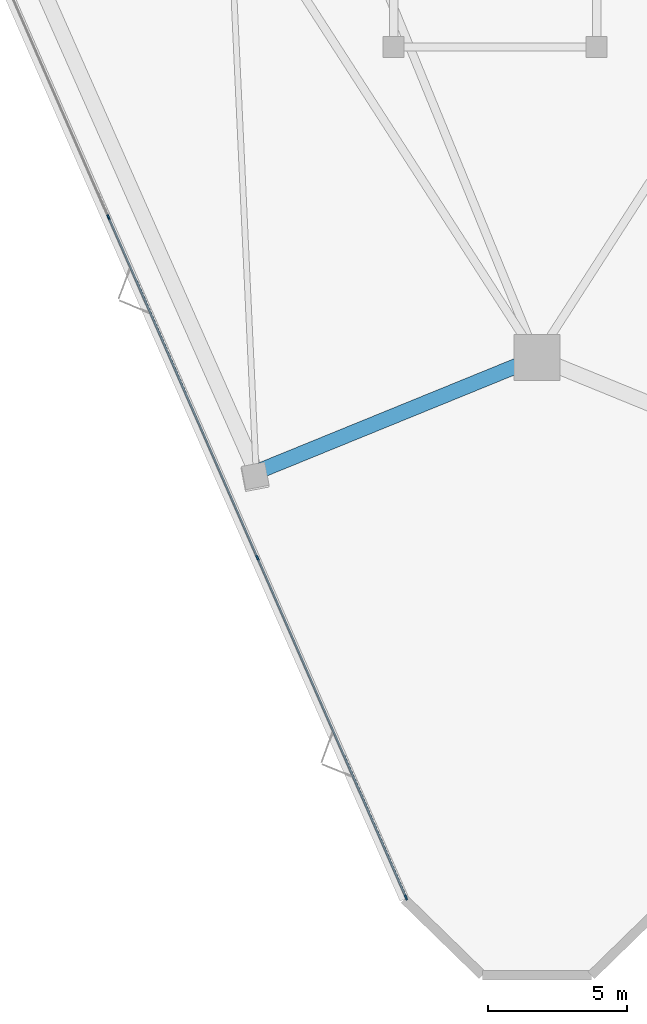
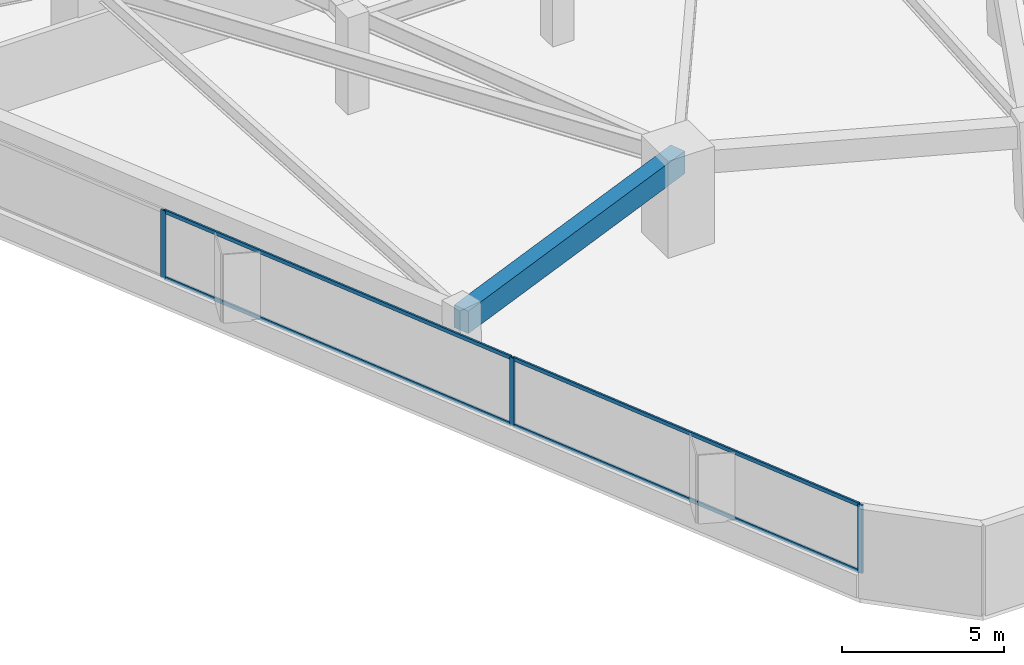
# One storey, part 2 of 19: 7 members, 1 beam, 1 element without a shape of its own.
"""IFC4 building model written with IfcOpenShell, lengths in metres."""

from ifc_helpers import new_model, si_unit, direction, frame, origin, origin_2d, place, context, subcontext, project, spatial, rectangle, extrude, material, layer, layer_set, material_profile, profile_set, type_object, element, aggregate, save


model = new_model("IFC4")

# Units and contexts
model_context = context("Model", 3, precision=1e-05, world=origin(), true_north=direction((0.0, 1.0)))
body_context = subcontext(model_context, "Body", "Model", "MODEL_VIEW")
ifc_project = project(units=[si_unit("LENGTHUNIT", "METRE"), si_unit("AREAUNIT", "SQUARE_METRE"), si_unit("VOLUMEUNIT", "CUBIC_METRE"), si_unit("PLANEANGLEUNIT", "RADIAN"), si_unit("MASSUNIT", "GRAM", prefix="KILO")], contexts=[model_context])

# Site, building, storey
site_placement = place(None, origin())
site = spatial("IfcSite", under=ifc_project, at=site_placement, CompositionType="ELEMENT")
building_placement = place(site_placement, origin())
building = spatial("IfcBuilding", under=site, at=building_placement, Name="Talyreon Biosciences Tower", CompositionType="ELEMENT")
storey_placement = place(building_placement, frame((0.0, 0.0, 82.300048828125)))
storey = spatial("IfcBuildingStorey", under=building, at=storey_placement, Name="L21", CompositionType="ELEMENT", Elevation=82.300048828125)

# Curtain wall, members
ifc_material_1 = material(Name="Thermally broken aluminium and low-E glazing", Category="aluminium")
ifc_layer = layer(ifc_material_1, 0.18994140625)
ifc_layer_set = layer_set([ifc_layer], Name="Thermally broken aluminium and low-E glazing")
curtain_wall_type = type_object("IfcCurtainWallType", Name="CurtainWall_Zone2Genomics", PredefinedType="NOTDEFINED", material=ifc_layer_set)
curtain_wall_placement = place(storey_placement, origin())
curtain_wall = element("IfcCurtainWall", 1, at=curtain_wall_placement, inside=storey, type_object=curtain_wall_type, Name="L21 Unitised Curtain Wall FCW-L21-00", PredefinedType="NOTDEFINED")
ifc_material_2 = material(Name="Anodised thermally broken aluminium", Category="aluminium")
ifc_material_profile_1 = material_profile(ifc_material_2, rectangle(XDim=0.06494140625, YDim=0.179931640625, at=origin_2d()), Name="ALUM MULLION 65x180")
ifc_profile_set_1 = profile_set([ifc_material_profile_1], Name="Anodised thermally broken aluminium")
member_type_1 = type_object("IfcMemberType", Name="CWMullion_65x180", PredefinedType="MULLION", material=ifc_profile_set_1)
member_1_placement = place(storey_placement, frame((61.2958984375, 22.253173828125, 0.81005859375), z_axis=(0.0, 0.0, 1.0), x_axis=(-0.916213942072, -0.400689421314, 0.0)))
member_1 = element("IfcMember", 2, at=member_1_placement, type_object=member_type_1, Name="CW3 mullion 1", PredefinedType="MULLION", context=body_context, shape_type="SweptSolid", body=[
    extrude(rectangle(XDim=0.06494140625, YDim=0.179931640625, at=origin_2d()), origin(), (0.0, 0.0, 1.0), 2.56494140625),
])
member_2_placement = place(storey_placement, frame((55.9521484375, 34.472412109375, 0.81005859375), z_axis=(0.0, 0.0, 1.0), x_axis=(-0.916213942072, -0.400689421314, 0.0)))
member_2 = element("IfcMember", 3, at=member_2_placement, type_object=member_type_1, Name="CW3 mullion 2", PredefinedType="MULLION", context=body_context, shape_type="SweptSolid", body=[
    extrude(rectangle(XDim=0.06494140625, YDim=0.179931640625, at=origin_2d()), origin(), (0.0, 0.0, 1.0), 2.56494140625),
])
member_3_placement = place(storey_placement, frame((50.59521484375, 46.721435546875, 0.81005859375), z_axis=(0.0, 0.0, 1.0), x_axis=(-0.916213942072, -0.400689421314, 0.0)))
member_3 = element("IfcMember", 4, at=member_3_placement, type_object=member_type_1, Name="CW3 mullion 3", PredefinedType="MULLION", context=body_context, shape_type="SweptSolid", body=[
    extrude(rectangle(XDim=0.06494140625, YDim=0.179931640625, at=origin_2d()), origin(), (0.0, 0.0, 1.0), 2.56494140625),
])
ifc_material_profile_2 = material_profile(ifc_material_2, rectangle(XDim=0.06494140625, YDim=0.139892578125, at=origin_2d()), Name="ALUM TRANSOM 65x140")
ifc_profile_set_2 = profile_set([ifc_material_profile_2], Name="Anodised thermally broken aluminium")
member_type_2 = type_object("IfcMemberType", Name="CWTransom_65x140", PredefinedType="USERDEFINED", material=ifc_profile_set_2)
member_4_placement = place(storey_placement, frame((61.282958984375, 22.282958984375, 0.842529296875), z_axis=(-0.40069337817, 0.916212211603, 0.0), x_axis=(-0.916212211603, -0.40069337817, 0.0)))
member_4 = element("IfcMember", 5, at=member_4_placement, type_object=member_type_2, Name="CW3 transom 1.1", ObjectType="TRANSOM", PredefinedType="USERDEFINED", context=body_context, shape_type="SweptSolid", body=[
    extrude(rectangle(XDim=0.06494140625, YDim=0.139892578125, at=origin_2d()), origin(), (0.0, 0.0, 1.0), 13.271728515625),
])
member_5_placement = place(storey_placement, frame((61.282958984375, 22.282958984375, 3.342529296875), z_axis=(-0.40069337817, 0.916212211603, 0.0), x_axis=(-0.916212211603, -0.40069337817, 0.0)))
member_5 = element("IfcMember", 6, at=member_5_placement, type_object=member_type_2, Name="CW3 transom 1.2", ObjectType="TRANSOM", PredefinedType="USERDEFINED", context=body_context, shape_type="SweptSolid", body=[
    extrude(rectangle(XDim=0.06494140625, YDim=0.139892578125, at=origin_2d()), origin(), (0.0, 0.0, 1.0), 13.271728515625),
])
member_6_placement = place(storey_placement, frame((55.93896484375, 34.502197265625, 0.842529296875), z_axis=(-0.40068790809, 0.916214603852, 0.0), x_axis=(-0.916214603852, -0.40068790809, 0.0)))
member_6 = element("IfcMember", 7, at=member_6_placement, type_object=member_type_2, Name="CW3 transom 2.1", ObjectType="TRANSOM", PredefinedType="USERDEFINED", context=body_context, shape_type="SweptSolid", body=[
    extrude(rectangle(XDim=0.06494140625, YDim=0.139892578125, at=origin_2d()), origin(), (0.0, 0.0, 1.0), 13.30419921875),
])
member_7_placement = place(storey_placement, frame((55.93896484375, 34.502197265625, 3.342529296875), z_axis=(-0.40068790809, 0.916214603852, 0.0), x_axis=(-0.916214603852, -0.40068790809, 0.0)))
member_7 = element("IfcMember", 8, at=member_7_placement, type_object=member_type_2, Name="CW3 transom 2.2", ObjectType="TRANSOM", PredefinedType="USERDEFINED", context=body_context, shape_type="SweptSolid", body=[
    extrude(rectangle(XDim=0.06494140625, YDim=0.139892578125, at=origin_2d()), origin(), (0.0, 0.0, 1.0), 13.30419921875),
])
aggregate(curtain_wall, [member_1, member_2, member_3, member_4, member_5, member_6, member_7])

# Beam
ifc_material_3 = material(Name="Precast concrete C45/55", Category="concrete")
ifc_material_profile_3 = material_profile(ifc_material_3, rectangle(XDim=0.550048828125, YDim=0.85009765625, at=origin_2d()), Name="RCB 550x850")
ifc_profile_set_3 = profile_set([ifc_material_profile_3], Name="Precast concrete C45/55")
beam_type = type_object("IfcBeamType", Name="ExpressedSpandrel_550x850", PredefinedType="SPANDREL", material=ifc_profile_set_3)
beam_placement = place(storey_placement, frame((55.90625, 37.5498046875, 2.949951171875), z_axis=(0.925934612024, 0.377683854905, 0.0), x_axis=(-0.377683854905, 0.925934612024, 0.0)))
element("IfcBeam", 9, at=beam_placement, inside=storey, type_object=beam_type, Name="L21 Expressed Horizontal Concrete Spandrel 12", PredefinedType="SPANDREL", context=body_context, shape_type="SweptSolid", body=[
    extrude(rectangle(XDim=0.550048828125, YDim=0.85009765625, at=origin_2d()), origin(), (0.0, 0.0, 1.0), 10.901123046875),
])

save(model, "model.ifc")
